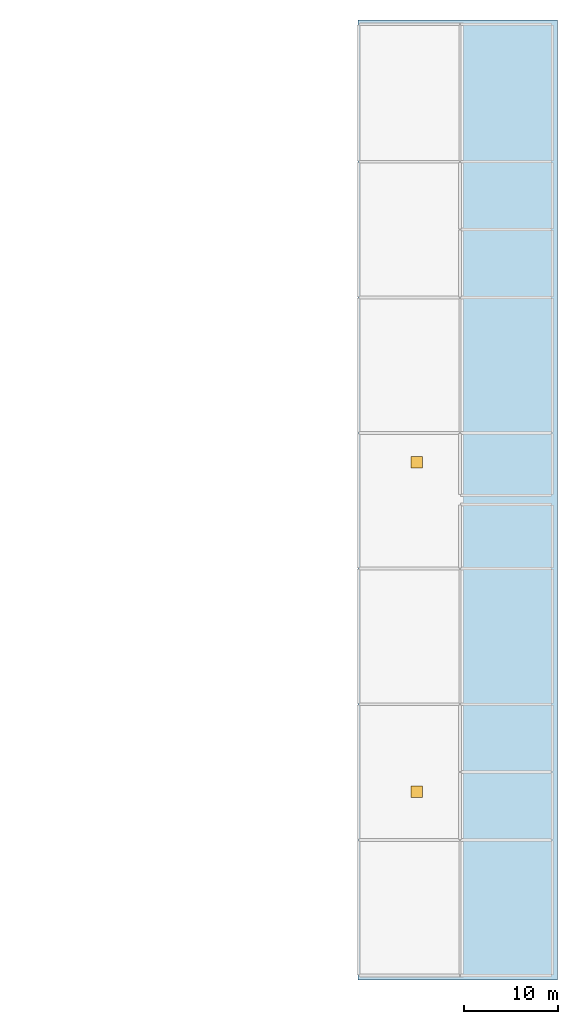
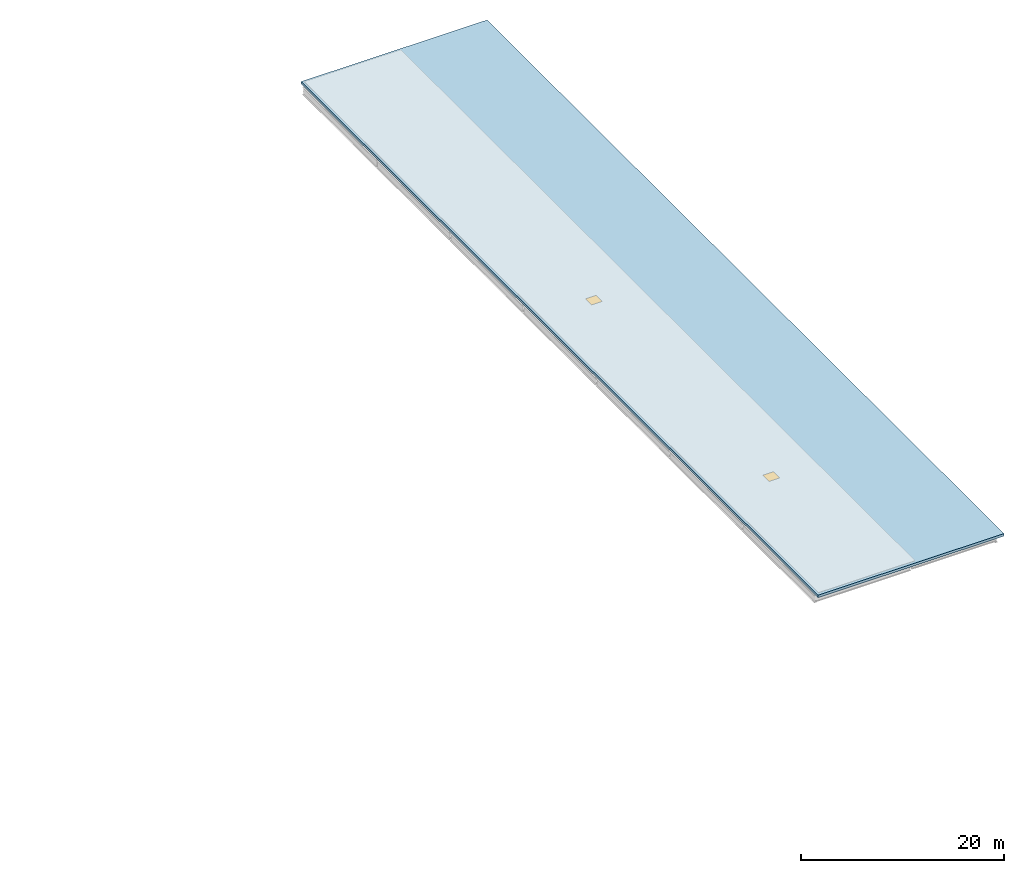
# One storey, part 11 of 19: 2 windows, 1 slab, 2 openings.
"""IFC4 building model written with IfcOpenShell, lengths in metres."""

from ifc_helpers import new_model, si_unit, direction, frame, origin, origin_2d, place, context, subcontext, project, spatial, polyline, rectangle, outline, extrude, material, layer, layer_set, type_object, element, fill, save


model = new_model("IFC4")

# Units and contexts
model_context = context("Model", 3, precision=1e-05, world=origin(), true_north=direction((0.0, 1.0)))
body_context = subcontext(model_context, "Body", "Model", "MODEL_VIEW")
ifc_project = project(units=[si_unit("LENGTHUNIT", "METRE"), si_unit("AREAUNIT", "SQUARE_METRE"), si_unit("VOLUMEUNIT", "CUBIC_METRE"), si_unit("PLANEANGLEUNIT", "RADIAN"), si_unit("MASSUNIT", "GRAM", prefix="KILO")], contexts=[model_context])

# Site, building, storey
site_placement = place(None, origin())
site = spatial("IfcSite", under=ifc_project, at=site_placement, CompositionType="ELEMENT")
building_placement = place(site_placement, origin())
building = spatial("IfcBuilding", under=site, at=building_placement, Name="Koshinbarg Plaza Stadium", CompositionType="ELEMENT")
storey_placement = place(building_placement, frame((0.0, 0.0, 29.39990234375)))
storey = spatial("IfcBuildingStorey", under=building, at=storey_placement, Name="L06", CompositionType="ELEMENT", Elevation=29.39990234375)

# Slab, openings, windows
ifc_material_1 = material(Name="Concrete C35/45", Category="concrete")
ifc_layer = layer(ifc_material_1, 0.300048828125)
ifc_layer_set = layer_set([ifc_layer], Name="Concrete C35/45")
slab_type = type_object("IfcSlabType", Name="SL-FLATROOF-260", PredefinedType="ROOF", material=ifc_layer_set)
slab_placement = place(storey_placement, frame((0.0, 0.0, -0.2998046875)))
slab = element("IfcSlab", 1, at=slab_placement, inside=storey, type_object=slab_type, Name="L06 pavilion flat roof slab RF-V2-TOP", PredefinedType="ROOF", context=body_context, shape_type="SweptSolid", body=[
    extrude(outline(polyline([(197.800048828125, 25.044921875), (218.955078125, 25.044921875), (218.955078125, 126.955078125), (197.800048828125, 126.955078125), (197.800048828125, 25.044921875)])), origin(), (0.0, 0.0, 1.0), 0.2998046875),
])
opening_1_placement = place(slab_placement, frame((204.0, 45.0, 0.0)))
opening_1 = element("IfcOpeningElement", 2, at=opening_1_placement, cuts=slab, Name="Opening RH01", PredefinedType="OPENING", context=body_context, shape_type="SweptSolid", body=[
    extrude(rectangle(XDim=1.199951171875, YDim=1.199951171875, at=origin_2d()), frame((0.0, 0.0, -0.010009765625)), (0.0, 0.0, 1.0), 0.31982421875),
])
opening_2_placement = place(slab_placement, frame((204.0, 80.0, 0.0)))
opening_2 = element("IfcOpeningElement", 3, at=opening_2_placement, cuts=slab, Name="Opening RH01", PredefinedType="OPENING", context=body_context, shape_type="SweptSolid", body=[
    extrude(rectangle(XDim=1.199951171875, YDim=1.199951171875, at=origin_2d()), frame((0.0, 0.0, -0.010009765625)), (0.0, 0.0, 1.0), 0.31982421875),
])
ifc_material_2 = material(Name="Insulated aluminium roof access skylight hatch", Category="aluminium")
window_type = type_object("IfcWindowType", Name="WN-HATCH-1200", PartitioningType="SINGLE_PANEL", PredefinedType="SKYLIGHT", material=ifc_material_2)
window_1_placement = place(opening_1_placement, frame((0.0, 0.0, 0.249755859375)))
window_1 = element("IfcWindow", 4, at=window_1_placement, inside=storey, type_object=window_type, Name="L06 roof access hatch 09", OverallHeight=1.199951171875, OverallWidth=1.199951171875, PartitioningType="SINGLE_PANEL", PredefinedType="SKYLIGHT", context=body_context, shape_type="SweptSolid", body=[
    extrude(rectangle(XDim=1.199951171875, YDim=1.199951171875, at=origin_2d()), origin(), (0.0, 0.0, 1.0), 0.050048828125),
])
fill(opening_1, window_1)
window_2_placement = place(opening_2_placement, frame((0.0, 0.0, 0.249755859375)))
window_2 = element("IfcWindow", 5, at=window_2_placement, inside=storey, type_object=window_type, Name="L06 roof access hatch 10", OverallHeight=1.199951171875, OverallWidth=1.199951171875, PartitioningType="SINGLE_PANEL", PredefinedType="SKYLIGHT", context=body_context, shape_type="SweptSolid", body=[
    extrude(rectangle(XDim=1.199951171875, YDim=1.199951171875, at=origin_2d()), origin(), (0.0, 0.0, 1.0), 0.050048828125),
])
fill(opening_2, window_2)

save(model, "model.ifc")
